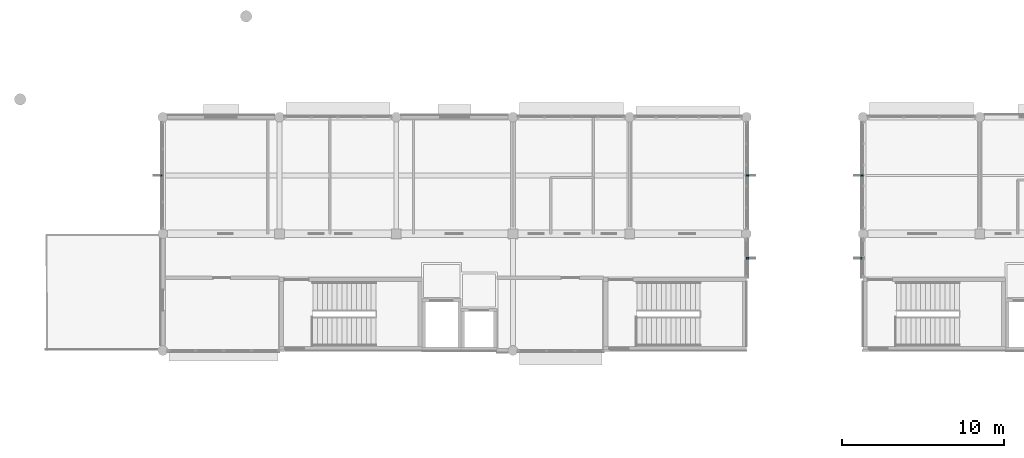
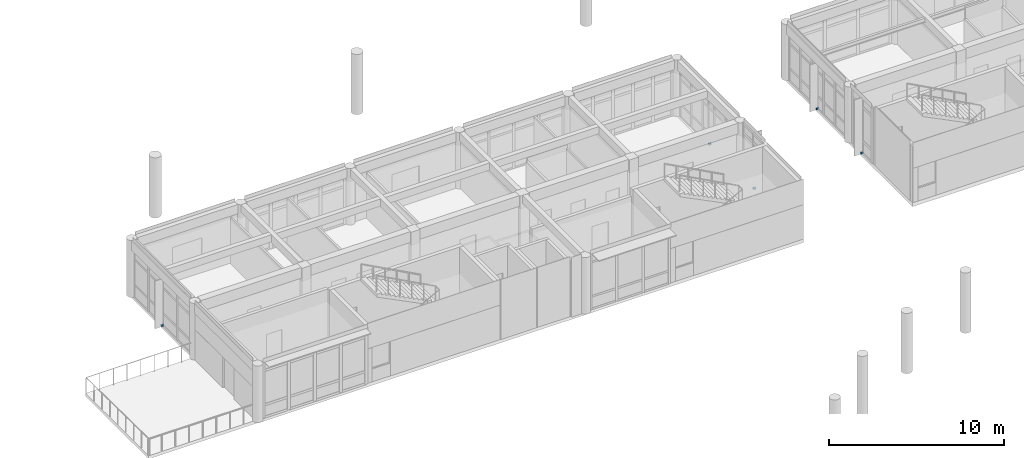
# One storey, part 27 of 41: 5 discrete accessories.
"""IFC4 building model written with IfcOpenShell, lengths in metres."""

from ifc_helpers import new_model, si_unit, direction, frame, origin, origin_2d, place, context, subcontext, project, spatial, rectangle, extrude, material, type_object, element, save


model = new_model("IFC4")

# Units and contexts
model_context = context("Model", 3, precision=1e-05, world=origin(), true_north=direction((0.0, 1.0)))
body_context = subcontext(model_context, "Body", "Model", "MODEL_VIEW")
ifc_project = project(units=[si_unit("LENGTHUNIT", "METRE"), si_unit("AREAUNIT", "SQUARE_METRE"), si_unit("VOLUMEUNIT", "CUBIC_METRE"), si_unit("PLANEANGLEUNIT", "RADIAN"), si_unit("MASSUNIT", "GRAM", prefix="KILO")], contexts=[model_context])

# Site, building, storey
site_placement = place(None, origin())
site = spatial("IfcSite", under=ifc_project, at=site_placement, CompositionType="ELEMENT")
building_placement = place(site_placement, origin())
building = spatial("IfcBuilding", under=site, at=building_placement, Name="Namkhue Oval Health Centre", CompositionType="ELEMENT")
storey_placement = place(building_placement, frame((0.0, 0.0, 13.800048828125)))
storey = spatial("IfcBuildingStorey", under=building, at=storey_placement, Name="L03", CompositionType="ELEMENT", Elevation=13.800048828125)

# Discrete accessories
ifc_material = material(Name="Structural steel S355JR (TCVN CCT38)", Category="steel")
discrete_accessory_type = type_object("IfcDiscreteAccessoryType", Name="FACADE SHADING BRACKET", PredefinedType="BRACKET", material=ifc_material)
for number, where, z_axis, x_axis, name in (
    (1, (86.4599609375, 95.70361328125, 0.0), (0.0, 0.0, 1.0), (1.0, 0.0, 0.0), "Solar Fin Bracket 91"),
    (2, (86.4599609375, 100.800048828125, 0.0), (0.0, 0.0, 1.0), (1.0, 0.0, 0.0), "Solar Fin Bracket 92"),
    (3, (50.340087890625, 100.800048828125, 0.0), (0.0, 0.0, 1.0), (-1.0, 0.0, 0.0), "Solar Fin Bracket 98"),
    (4, (93.5400390625, 100.800048828125, 0.0), (0.0, 0.0, 1.0), (-1.0, 0.0, 0.0), "Solar Fin Bracket 161"),
    (5, (93.5400390625, 95.70361328125, 0.0), (0.0, 0.0, 1.0), (-1.0, 0.0, 0.0), "Solar Fin Bracket 162"),
):
    element("IfcDiscreteAccessory", number, at=place(storey_placement, frame(where, z_axis=z_axis, x_axis=x_axis)), inside=storey, type_object=discrete_accessory_type, Name=name, PredefinedType="BRACKET", context=body_context, shape_type="SweptSolid", body=[
        extrude(rectangle(XDim=0.159912109375, YDim=0.1201171875, at=origin_2d()), origin(), (0.0, 0.0, 1.0), 0.1201171875),
    ])

save(model, "model.ifc")
